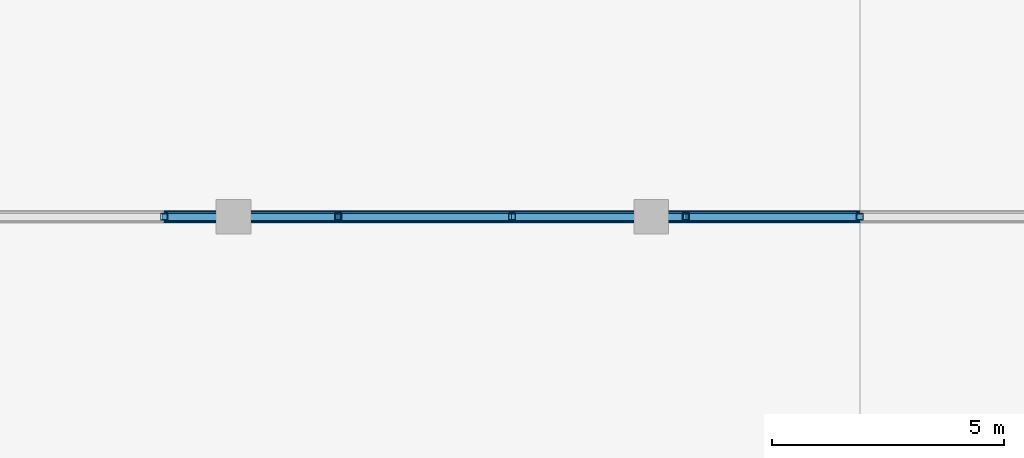
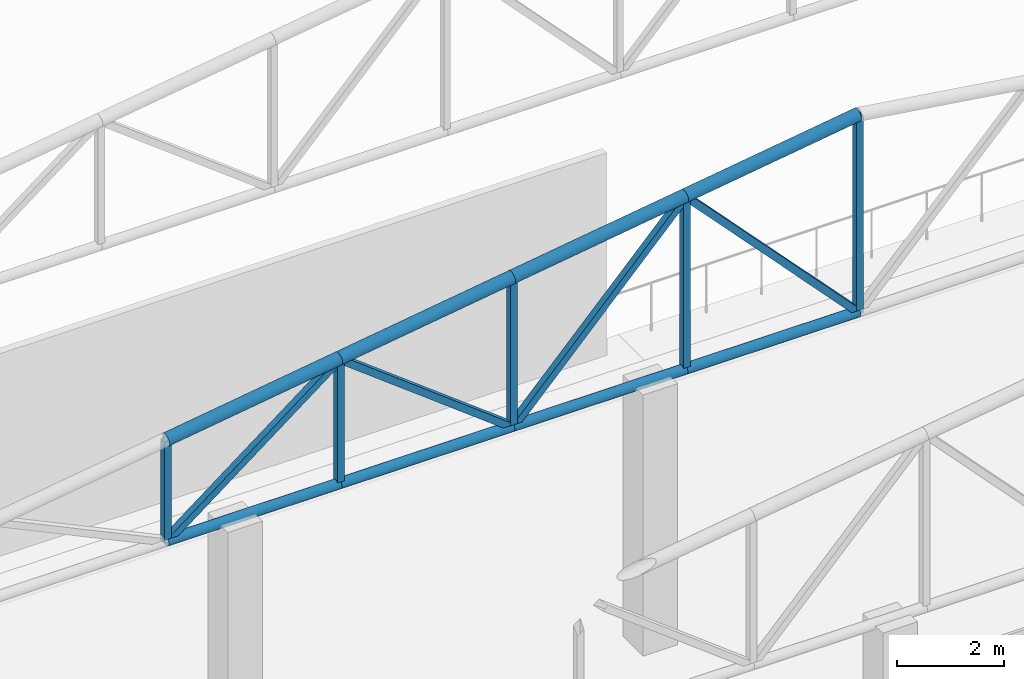
# One storey, part 49 of 223: 17 members.
"""IFC4 building model written with IfcOpenShell, lengths in metres."""

from ifc_helpers import new_model, si_unit, direction, frame, origin, origin_2d, place, context, subcontext, project, spatial, hollow_rectangle, hollow_circle, extrude, material, material_profile, profile_set, type_object, element, save


model = new_model("IFC4")

# Units and contexts
model_context = context("Model", 3, precision=1e-05, world=origin(), true_north=direction((0.0, 1.0)))
body_context = subcontext(model_context, "Body", "Model", "MODEL_VIEW")
ifc_project = project(units=[si_unit("LENGTHUNIT", "METRE"), si_unit("AREAUNIT", "SQUARE_METRE"), si_unit("VOLUMEUNIT", "CUBIC_METRE"), si_unit("PLANEANGLEUNIT", "RADIAN"), si_unit("MASSUNIT", "GRAM", prefix="KILO")], contexts=[model_context])

# Site, building, storey
site_placement = place(None, origin())
site = spatial("IfcSite", under=ifc_project, at=site_placement, CompositionType="ELEMENT")
building_placement = place(site_placement, origin())
building = spatial("IfcBuilding", under=site, at=building_placement, Name="Dornveld Trade and Exhibition Forum", CompositionType="ELEMENT")
storey_placement = place(building_placement, frame((0.0, 0.0, 6.0)))
storey = spatial("IfcBuildingStorey", under=building, at=storey_placement, Name="L01", CompositionType="ELEMENT", Elevation=6.0)

# Members
ifc_material_1 = material(Name="Steel S355J2", Category="steel")
ifc_material_profile_1 = material_profile(ifc_material_1, hollow_rectangle(XDim=0.14990234375, YDim=0.14990234375, WallThickness=0.008056640625, at=origin_2d()), Name="SHS 150x150x8")
ifc_profile_set_1 = profile_set([ifc_material_profile_1], Name="Steel S355J2")
member_type_1 = type_object("IfcMemberType", Name="MEM-ARCH-STR", PredefinedType="STRUT", material=ifc_profile_set_1)
member_1_placement = place(storey_placement, frame((160.5, 9.0, 5.97998046875), z_axis=(0.0, 0.0, 1.0), x_axis=(1.0, 0.0, 0.0)))
element("IfcMember", 1, at=member_1_placement, inside=storey, type_object=member_type_1, Name="Congress roof truss 2 post 3", PredefinedType="STRUT", context=body_context, shape_type="SweptSolid", body=[
    extrude(hollow_rectangle(XDim=0.14990234375, YDim=0.14990234375, WallThickness=0.008056640625, at=origin_2d()), origin(), (0.0, 0.0, 1.0), 2.320068359375),
])
member_2_placement = place(storey_placement, frame((164.25, 9.0, 5.97998046875), z_axis=(0.0, 0.0, 1.0), x_axis=(1.0, 0.0, 0.0)))
element("IfcMember", 2, at=member_2_placement, inside=storey, type_object=member_type_1, Name="Congress roof truss 2 post 4", PredefinedType="STRUT", context=body_context, shape_type="SweptSolid", body=[
    extrude(hollow_rectangle(XDim=0.14990234375, YDim=0.14990234375, WallThickness=0.008056640625, at=origin_2d()), origin(), (0.0, 0.0, 1.0), 2.8701171875),
])
member_3_placement = place(storey_placement, frame((168.0, 9.0, 5.97998046875), z_axis=(0.0, 0.0, 1.0), x_axis=(1.0, 0.0, 0.0)))
element("IfcMember", 3, at=member_3_placement, inside=storey, type_object=member_type_1, Name="Congress roof truss 2 post 5", PredefinedType="STRUT", context=body_context, shape_type="SweptSolid", body=[
    extrude(hollow_rectangle(XDim=0.14990234375, YDim=0.14990234375, WallThickness=0.008056640625, at=origin_2d()), origin(), (0.0, 0.0, 1.0), 3.419921875),
])
member_4_placement = place(storey_placement, frame((171.75, 9.0, 5.97998046875), z_axis=(0.0, 0.0, 1.0), x_axis=(1.0, 0.0, 0.0)))
element("IfcMember", 4, at=member_4_placement, inside=storey, type_object=member_type_1, Name="Congress roof truss 2 post 6", PredefinedType="STRUT", context=body_context, shape_type="SweptSolid", body=[
    extrude(hollow_rectangle(XDim=0.14990234375, YDim=0.14990234375, WallThickness=0.008056640625, at=origin_2d()), origin(), (0.0, 0.0, 1.0), 3.969970703125),
])
member_5_placement = place(storey_placement, frame((175.5, 9.0, 5.97998046875), z_axis=(0.0, 0.0, 1.0), x_axis=(1.0, 0.0, 0.0)))
element("IfcMember", 5, at=member_5_placement, inside=storey, type_object=member_type_1, Name="Congress roof truss 2 post 7", PredefinedType="STRUT", context=body_context, shape_type="SweptSolid", body=[
    extrude(hollow_rectangle(XDim=0.14990234375, YDim=0.14990234375, WallThickness=0.008056640625, at=origin_2d()), origin(), (0.0, 0.0, 1.0), 4.52001953125),
])
ifc_material_2 = material(Name="Steel S355J2", Category="steel")
ifc_material_profile_2 = material_profile(ifc_material_2, hollow_circle(Radius=0.109619140625, WallThickness=0.010009765625, at=origin_2d()), Name="CHS 219.1x10")
ifc_profile_set_2 = profile_set([ifc_material_profile_2], Name="Steel S355J2")
member_type_2 = type_object("IfcMemberType", Name="MEM-CONG-BC", PredefinedType="CHORD", material=ifc_profile_set_2)
for number, where, z_axis, x_axis, name in (
    (6, (160.5, 9.0, 5.97998046875), (1.0, 0.0, 0.0), (0.0, 1.0, 0.0), "Congress roof truss 2 bottom chord 3"),
    (7, (164.25, 9.0, 5.97998046875), (1.0, 0.0, 0.0), (0.0, 1.0, 0.0), "Congress roof truss 2 bottom chord 4"),
    (8, (168.0, 9.0, 5.97998046875), (1.0, 0.0, 0.0), (0.0, 1.0, 0.0), "Congress roof truss 2 bottom chord 5"),
    (9, (171.75, 9.0, 5.97998046875), (1.0, 0.0, 0.0), (0.0, 1.0, 0.0), "Congress roof truss 2 bottom chord 6"),
):
    element("IfcMember", number, at=place(storey_placement, frame(where, z_axis=z_axis, x_axis=x_axis)), inside=storey, type_object=member_type_2, Name=name, PredefinedType="CHORD", context=body_context, shape_type="SweptSolid", body=[
        extrude(hollow_circle(Radius=0.109619140625, WallThickness=0.010009765625, at=origin_2d()), origin(), (0.0, 0.0, 1.0), 3.75),
    ])
ifc_material_3 = material(Name="Steel S355J2", Category="steel")
ifc_material_profile_3 = material_profile(ifc_material_3, hollow_circle(Radius=0.136474609375, WallThickness=0.012451171875, at=origin_2d()), Name="CHS 273x12.5")
ifc_profile_set_3 = profile_set([ifc_material_profile_3], Name="Steel S355J2")
member_type_3 = type_object("IfcMemberType", Name="MEM-CONG-TC", PredefinedType="CHORD", material=ifc_profile_set_3)
for number, where, z_axis, x_axis, name in (
    (10, (160.5, 9.0, 8.300048828125), (0.989413064489, 0.0, 0.145126799108), (0.0, 1.0, 0.0), "Congress roof truss 2 top chord 3"),
    (11, (164.25, 9.0, 8.85009765625), (0.989422311926, 0.0, 0.145063740004), (0.0, 1.0, 0.0), "Congress roof truss 2 top chord 4"),
    (12, (168.0, 9.0, 9.39990234375), (0.989413064489, 0.0, 0.145126799108), (0.0, 1.0, 0.0), "Congress roof truss 2 top chord 5"),
    (13, (171.75, 9.0, 9.949951171875), (0.989413064489, 0.0, 0.145126799108), (0.0, 1.0, 0.0), "Congress roof truss 2 top chord 6"),
):
    element("IfcMember", number, at=place(storey_placement, frame(where, z_axis=z_axis, x_axis=x_axis)), inside=storey, type_object=member_type_3, Name=name, PredefinedType="CHORD", context=body_context, shape_type="SweptSolid", body=[
        extrude(hollow_circle(Radius=0.136474609375, WallThickness=0.012451171875, at=origin_2d()), origin(), (0.0, 0.0, 1.0), 3.7900390625),
    ])
ifc_material_4 = material(Name="Steel S355J2", Category="steel")
ifc_material_profile_4 = material_profile(ifc_material_4, hollow_rectangle(XDim=0.14990234375, YDim=0.14990234375, WallThickness=0.008056640625, at=origin_2d()), Name="SHS 150x150x8")
ifc_profile_set_4 = profile_set([ifc_material_profile_4], Name="Steel S355J2")
member_type_4 = type_object("IfcMemberType", Name="MEM-CONG-WEB", PredefinedType="BRACE", material=ifc_profile_set_4)
for number, where, z_axis, x_axis, name in (
    (14, (160.5, 9.0, 5.97998046875), (0.794105362147, 0.0, 0.607780119623), (0.0, 1.0, 0.0), "Congress roof truss 2 web 3"),
    (15, (168.0, 9.0, 5.97998046875), (-0.794105362147, 0.0, 0.607780119623), (0.0, -1.0, 0.0), "Congress roof truss 2 web 4"),
):
    element("IfcMember", number, at=place(storey_placement, frame(where, z_axis=z_axis, x_axis=x_axis)), inside=storey, type_object=member_type_4, Name=name, PredefinedType="BRACE", context=body_context, shape_type="SweptSolid", body=[
        extrude(hollow_rectangle(XDim=0.14990234375, YDim=0.14990234375, WallThickness=0.008056640625, at=origin_2d()), origin(), (0.0, 0.0, 1.0), 4.722412109375),
    ])
for number, where, z_axis, x_axis, name in (
    (16, (168.0, 9.0, 5.97998046875), (0.686679978257, 0.0, 0.72695983896), (0.0, 1.0, 0.0), "Congress roof truss 2 web 5"),
    (17, (175.5, 9.0, 5.97998046875), (-0.686679978257, 0.0, 0.72695983896), (0.0, -1.0, 0.0), "Congress roof truss 2 web 6"),
):
    element("IfcMember", number, at=place(storey_placement, frame(where, z_axis=z_axis, x_axis=x_axis)), inside=storey, type_object=member_type_4, Name=name, PredefinedType="BRACE", context=body_context, shape_type="SweptSolid", body=[
        extrude(hollow_rectangle(XDim=0.14990234375, YDim=0.14990234375, WallThickness=0.008056640625, at=origin_2d()), origin(), (0.0, 0.0, 1.0), 5.4609375),
    ])

save(model, "model.ifc")
